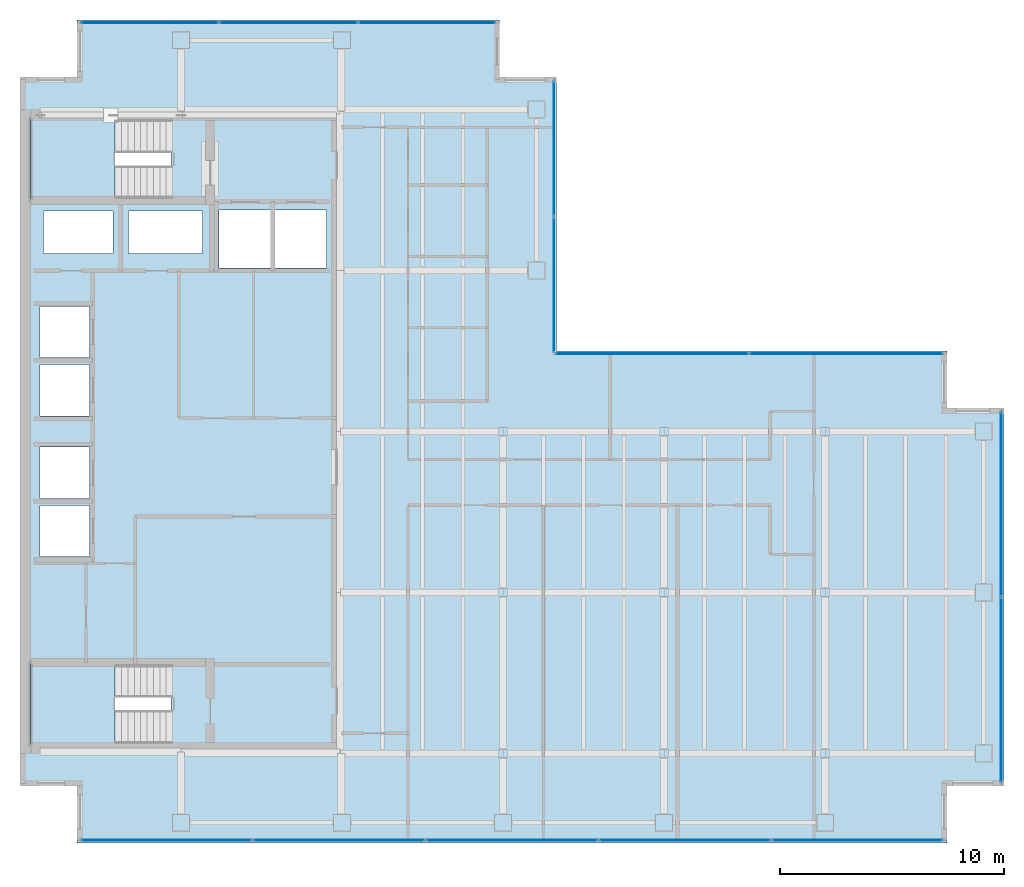
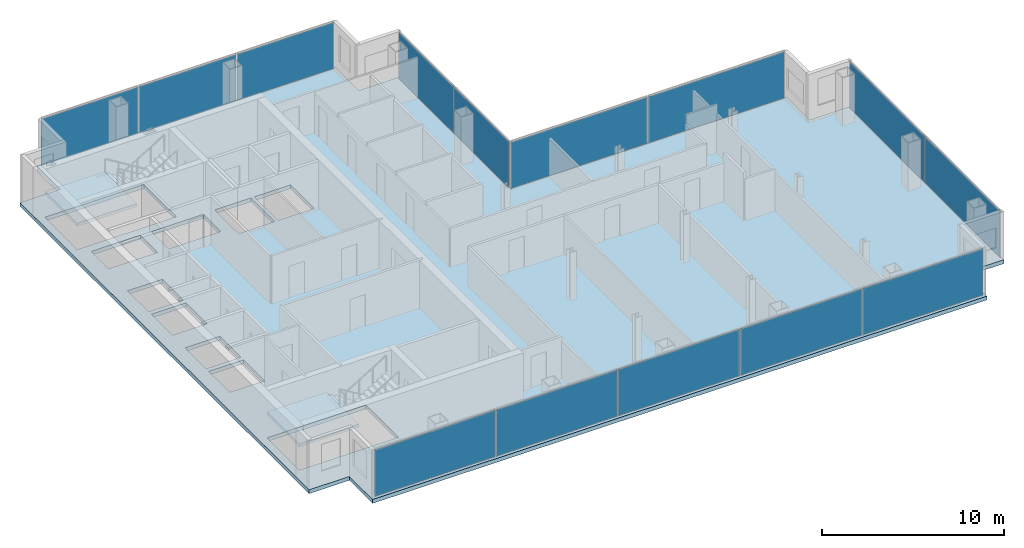
# One storey, part 19 of 23: 14 plates, 3 slabs, 10 openings, 7 elements without a shape of their own.
"""IFC4 building model written with IfcOpenShell, lengths in metres."""

from ifc_helpers import new_model, si_unit, direction, frame, origin, origin_2d, place, context, subcontext, project, spatial, polyline, rectangle, outline, extrude, material, layer, layer_set, type_object, element, aggregate, save


model = new_model("IFC4")

# Units and contexts
model_context = context("Model", 3, precision=1e-05, world=origin(), true_north=direction((0.0, 1.0)))
body_context = subcontext(model_context, "Body", "Model", "MODEL_VIEW")
ifc_project = project(units=[si_unit("LENGTHUNIT", "METRE"), si_unit("AREAUNIT", "SQUARE_METRE"), si_unit("VOLUMEUNIT", "CUBIC_METRE"), si_unit("PLANEANGLEUNIT", "RADIAN"), si_unit("MASSUNIT", "GRAM", prefix="KILO")], contexts=[model_context])

# Site, building, storey
site_placement = place(None, origin())
site = spatial("IfcSite", under=ifc_project, at=site_placement, CompositionType="ELEMENT")
building_placement = place(site_placement, origin())
building = spatial("IfcBuilding", under=site, at=building_placement, Name="Cobrela Telecom Tower", CompositionType="ELEMENT")
storey_placement = place(building_placement, frame((0.0, 0.0, 190.75)))
storey = spatial("IfcBuildingStorey", under=building, at=storey_placement, Name="L48", CompositionType="ELEMENT", Elevation=190.75)

# Curtain wall, plates
ifc_material_1 = material(Name="Anodized Bronze Aluminium 6063-T6", Category="aluminium")
curtain_wall_type = type_object("IfcCurtainWallType", Name="CW-SYS-OFF-LO", PredefinedType="USERDEFINED", material=ifc_material_1)
curtain_wall_1_placement = place(storey_placement, origin())
curtain_wall_1 = element("IfcCurtainWall", 1, at=curtain_wall_1_placement, inside=storey, type_object=curtain_wall_type, Name="L48 Unitised Bronze Curtain Wall 07", ObjectType="UNITISED CURTAIN WALL", PredefinedType="USERDEFINED")
ifc_material_2 = material(Name="Solar-Control Bronze Low-E Glass", Category="glass")
ifc_layer_1 = layer(ifc_material_2, 0.031982421875)
ifc_layer_set_1 = layer_set([ifc_layer_1], Name="Solar-Control Bronze Low-E Glass")
plate_type = type_object("IfcPlateType", Name="CW-SYS-OFF-LO-PNL", PredefinedType="CURTAIN_PANEL", material=ifc_layer_set_1)
plate_1_placement = place(storey_placement, frame((5.797607421875, 39.8798828125, 0.070068359375), z_axis=(0.0, 0.0, 1.0), x_axis=(1.0, 0.0, 0.0)))
plate_1 = element("IfcPlate", 2, at=plate_1_placement, type_object=plate_type, Name="CW-OFF-LO panel 1.1", PredefinedType="CURTAIN_PANEL", context=body_context, shape_type="SweptSolid", body=[
    extrude(rectangle(XDim=6.114990234375, YDim=0.031982421875, at=origin_2d()), origin(), (0.0, 0.0, 1.0), 3.10009765625),
])
plate_2_placement = place(storey_placement, frame((12.0, 39.8798828125, 0.070068359375), z_axis=(0.0, 0.0, 1.0), x_axis=(1.0, 0.0, 0.0)))
plate_2 = element("IfcPlate", 3, at=plate_2_placement, type_object=plate_type, Name="CW-OFF-LO panel 2.1", PredefinedType="CURTAIN_PANEL", context=body_context, shape_type="SweptSolid", body=[
    extrude(rectangle(XDim=6.14990234375, YDim=0.031982421875, at=origin_2d()), origin(), (0.0, 0.0, 1.0), 3.10009765625),
])
plate_3_placement = place(storey_placement, frame((18.202392578125, 39.8798828125, 0.070068359375), z_axis=(0.0, 0.0, 1.0), x_axis=(1.0, 0.0, 0.0)))
plate_3 = element("IfcPlate", 4, at=plate_3_placement, type_object=plate_type, Name="CW-OFF-LO panel 3.1", PredefinedType="CURTAIN_PANEL", context=body_context, shape_type="SweptSolid", body=[
    extrude(rectangle(XDim=6.114990234375, YDim=0.031982421875, at=origin_2d()), origin(), (0.0, 0.0, 1.0), 3.10009765625),
])
aggregate(curtain_wall_1, [plate_1, plate_2, plate_3])

curtain_wall_2_placement = place(storey_placement, origin())
curtain_wall_2 = element("IfcCurtainWall", 5, at=curtain_wall_2_placement, inside=storey, type_object=curtain_wall_type, Name="L48 Unitised Bronze Curtain Wall 10", ObjectType="UNITISED CURTAIN WALL", PredefinedType="USERDEFINED")
plate_4_placement = place(storey_placement, frame((23.8798828125, 34.25, 0.070068359375), z_axis=(0.0, 0.0, 1.0), x_axis=(0.0, -1.0, 0.0)))
plate_4 = element("IfcPlate", 6, at=plate_4_placement, type_object=plate_type, Name="CW-OFF-LO panel 1.1", PredefinedType="CURTAIN_PANEL", context=body_context, shape_type="SweptSolid", body=[
    extrude(rectangle(XDim=6.02001953125, YDim=0.031982421875, at=origin_2d()), origin(), (0.0, 0.0, 1.0), 3.10009765625),
])
plate_5_placement = place(storey_placement, frame((23.8798828125, 28.159912109375, 0.070068359375), z_axis=(0.0, 0.0, 1.0), x_axis=(0.0, -1.0, 0.0)))
plate_5 = element("IfcPlate", 7, at=plate_5_placement, type_object=plate_type, Name="CW-OFF-LO panel 2.1", PredefinedType="CURTAIN_PANEL", context=body_context, shape_type="SweptSolid", body=[
    extrude(rectangle(XDim=6.02001953125, YDim=0.031982421875, at=origin_2d()), origin(), (0.0, 0.0, 1.0), 3.10009765625),
])
aggregate(curtain_wall_2, [plate_4, plate_5])

curtain_wall_3_placement = place(storey_placement, origin())
curtain_wall_3 = element("IfcCurtainWall", 8, at=curtain_wall_3_placement, inside=storey, type_object=curtain_wall_type, Name="L48 Unitised Bronze Curtain Wall 11", ObjectType="UNITISED CURTAIN WALL", PredefinedType="USERDEFINED")
plate_6_placement = place(storey_placement, frame((28.260009765625, 25.080078125, 0.070068359375), z_axis=(0.0, 0.0, 1.0), x_axis=(1.0, 0.0, 0.0)))
plate_6 = element("IfcPlate", 9, at=plate_6_placement, type_object=plate_type, Name="CW-OFF-LO panel 1.1", PredefinedType="CURTAIN_PANEL", context=body_context, shape_type="SweptSolid", body=[
    extrude(rectangle(XDim=8.6201171875, YDim=0.031982421875, at=origin_2d()), origin(), (0.0, 0.0, 1.0), 3.10009765625),
])
plate_7_placement = place(storey_placement, frame((36.949951171875, 25.080078125, 0.070068359375), z_axis=(0.0, 0.0, 1.0), x_axis=(1.0, 0.0, 0.0)))
plate_7 = element("IfcPlate", 10, at=plate_7_placement, type_object=plate_type, Name="CW-OFF-LO panel 2.1", PredefinedType="CURTAIN_PANEL", context=body_context, shape_type="SweptSolid", body=[
    extrude(rectangle(XDim=8.6201171875, YDim=0.031982421875, at=origin_2d()), origin(), (0.0, 0.0, 1.0), 3.10009765625),
])
aggregate(curtain_wall_3, [plate_6, plate_7])

curtain_wall_4_placement = place(storey_placement, origin())
curtain_wall_4 = element("IfcCurtainWall", 11, at=curtain_wall_4_placement, inside=storey, type_object=curtain_wall_type, Name="L48 Unitised Bronze Curtain Wall 14", ObjectType="UNITISED CURTAIN WALL", PredefinedType="USERDEFINED")
plate_8_placement = place(storey_placement, frame((43.8798828125, 18.347412109375, 0.070068359375), z_axis=(0.0, 0.0, 1.0), x_axis=(0.0, -1.0, 0.0)))
plate_8 = element("IfcPlate", 12, at=plate_8_placement, type_object=plate_type, Name="CW-OFF-LO panel 1.1", PredefinedType="CURTAIN_PANEL", context=body_context, shape_type="SweptSolid", body=[
    extrude(rectangle(XDim=8.22509765625, YDim=0.031982421875, at=origin_2d()), origin(), (0.0, 0.0, 1.0), 3.10009765625),
])
plate_9_placement = place(storey_placement, frame((43.8798828125, 10.052490234375, 0.070068359375), z_axis=(0.0, 0.0, 1.0), x_axis=(0.0, -1.0, 0.0)))
plate_9 = element("IfcPlate", 13, at=plate_9_placement, type_object=plate_type, Name="CW-OFF-LO panel 2.1", PredefinedType="CURTAIN_PANEL", context=body_context, shape_type="SweptSolid", body=[
    extrude(rectangle(XDim=8.22509765625, YDim=0.031982421875, at=origin_2d()), origin(), (0.0, 0.0, 1.0), 3.10009765625),
])
aggregate(curtain_wall_4, [plate_8, plate_9])

curtain_wall_5_placement = place(storey_placement, origin())
curtain_wall_5 = element("IfcCurtainWall", 14, at=curtain_wall_5_placement, inside=storey, type_object=curtain_wall_type, Name="L48 Unitised Bronze Curtain Wall 17", ObjectType="UNITISED CURTAIN WALL", PredefinedType="USERDEFINED")
plate_10_placement = place(storey_placement, frame((37.446533203125, 3.320068359375, 0.070068359375), z_axis=(0.0, 0.0, 1.0), x_axis=(-1.0, 0.0, 0.0)))
plate_10 = element("IfcPlate", 15, at=plate_10_placement, type_object=plate_type, Name="CW-OFF-LO panel 1.1", PredefinedType="CURTAIN_PANEL", context=body_context, shape_type="SweptSolid", body=[
    extrude(rectangle(XDim=7.626953125, YDim=0.031982421875, at=origin_2d()), origin(), (0.0, 0.0, 1.0), 3.10009765625),
])
plate_11_placement = place(storey_placement, frame((29.73193359375, 3.320068359375, 0.070068359375), z_axis=(0.0, 0.0, 1.0), x_axis=(-1.0, 0.0, 0.0)))
plate_11 = element("IfcPlate", 16, at=plate_11_placement, type_object=plate_type, Name="CW-OFF-LO panel 2.1", PredefinedType="CURTAIN_PANEL", context=body_context, shape_type="SweptSolid", body=[
    extrude(rectangle(XDim=7.662109375, YDim=0.031982421875, at=origin_2d()), origin(), (0.0, 0.0, 1.0), 3.10009765625),
])
plate_12_placement = place(storey_placement, frame((22.0, 3.320068359375, 0.070068359375), z_axis=(0.0, 0.0, 1.0), x_axis=(-1.0, 0.0, 0.0)))
plate_12 = element("IfcPlate", 17, at=plate_12_placement, type_object=plate_type, Name="CW-OFF-LO panel 3.1", PredefinedType="CURTAIN_PANEL", context=body_context, shape_type="SweptSolid", body=[
    extrude(rectangle(XDim=7.662109375, YDim=0.031982421875, at=origin_2d()), origin(), (0.0, 0.0, 1.0), 3.10009765625),
])
plate_13_placement = place(storey_placement, frame((14.26806640625, 3.320068359375, 0.070068359375), z_axis=(0.0, 0.0, 1.0), x_axis=(-1.0, 0.0, 0.0)))
plate_13 = element("IfcPlate", 18, at=plate_13_placement, type_object=plate_type, Name="CW-OFF-LO panel 4.1", PredefinedType="CURTAIN_PANEL", context=body_context, shape_type="SweptSolid", body=[
    extrude(rectangle(XDim=7.662109375, YDim=0.031982421875, at=origin_2d()), origin(), (0.0, 0.0, 1.0), 3.10009765625),
])
plate_14_placement = place(storey_placement, frame((6.553466796875, 3.320068359375, 0.070068359375), z_axis=(0.0, 0.0, 1.0), x_axis=(-1.0, 0.0, 0.0)))
plate_14 = element("IfcPlate", 19, at=plate_14_placement, type_object=plate_type, Name="CW-OFF-LO panel 5.1", PredefinedType="CURTAIN_PANEL", context=body_context, shape_type="SweptSolid", body=[
    extrude(rectangle(XDim=7.626953125, YDim=0.031982421875, at=origin_2d()), origin(), (0.0, 0.0, 1.0), 3.10009765625),
])
aggregate(curtain_wall_5, [plate_10, plate_11, plate_12, plate_13, plate_14])

# Slab, openings
ifc_material_3 = material(Name="Concrete C40/50", Category="concrete")
ifc_layer_2 = layer(ifc_material_3, 0.260009765625)
ifc_layer_set_2 = layer_set([ifc_layer_2], Name="Concrete C40/50")
slab_type_1 = type_object("IfcSlabType", Name="SLAB-FLR-260", PredefinedType="FLOOR", material=ifc_layer_set_2)
slab_1_placement = place(storey_placement, frame((0.0, 0.0, -0.260009765625)))
slab_1 = element("IfcSlab", 20, at=slab_1_placement, inside=storey, type_object=slab_type_1, Name="L48 Structural Floor Slab", PredefinedType="FLOOR", context=body_context, shape_type="SweptSolid", body=[
    extrude(outline(polyline([(2.550048828125, 3.199951171875), (41.449951171875, 3.199951171875), (41.449951171875, 5.75), (44.0, 5.75), (44.0, 22.64990234375), (41.449951171875, 22.64990234375), (41.449951171875, 25.199951171875), (24.0, 25.199951171875), (24.0, 37.449951171875), (21.449951171875, 37.449951171875), (21.449951171875, 40.0), (2.550048828125, 40.0), (2.550048828125, 37.449951171875), (0.0, 37.449951171875), (0.0, 5.75), (2.550048828125, 5.75), (2.550048828125, 3.199951171875)])), origin(), (0.0, 0.0, 1.0), 0.260009765625),
])
opening_1_placement = place(slab_1_placement, frame((0.0, 0.0, -0.02001953125)))
element("IfcOpeningElement", 21, at=opening_1_placement, cuts=slab_1, Name="Slab Shaft Opening SLAB-L48-MAIN.1", PredefinedType="OPENING", context=body_context, shape_type="SweptSolid", body=[
    extrude(outline(polyline([(8.89990234375, 28.89990234375), (11.199951171875, 28.89990234375), (11.199951171875, 31.5), (8.89990234375, 31.5), (8.89990234375, 28.89990234375)])), origin(), (0.0, 0.0, 1.0), 0.300048828125),
])
opening_2_placement = place(slab_1_placement, frame((0.0, 0.0, -0.02001953125)))
element("IfcOpeningElement", 22, at=opening_2_placement, cuts=slab_1, Name="Slab Shaft Opening SLAB-L48-MAIN.2", PredefinedType="OPENING", context=body_context, shape_type="SweptSolid", body=[
    extrude(outline(polyline([(11.39990234375, 28.89990234375), (13.699951171875, 28.89990234375), (13.699951171875, 31.5), (11.39990234375, 31.5), (11.39990234375, 28.89990234375)])), origin(), (0.0, 0.0, 1.0), 0.300048828125),
])
opening_3_placement = place(slab_1_placement, frame((0.0, 0.0, -0.02001953125)))
element("IfcOpeningElement", 23, at=opening_3_placement, cuts=slab_1, Name="Slab Shaft Opening SLAB-L48-MAIN.3", PredefinedType="OPENING", context=body_context, shape_type="SweptSolid", body=[
    extrude(outline(polyline([(0.89990234375, 16.0), (3.10009765625, 16.0), (3.10009765625, 18.300048828125), (0.89990234375, 18.300048828125), (0.89990234375, 16.0)])), origin(), (0.0, 0.0, 1.0), 0.300048828125),
])
opening_4_placement = place(slab_1_placement, frame((0.0, 0.0, -0.02001953125)))
element("IfcOpeningElement", 24, at=opening_4_placement, cuts=slab_1, Name="Slab Shaft Opening SLAB-L48-MAIN.4", PredefinedType="OPENING", context=body_context, shape_type="SweptSolid", body=[
    extrude(outline(polyline([(0.89990234375, 18.60009765625), (3.10009765625, 18.60009765625), (3.10009765625, 20.89990234375), (0.89990234375, 20.89990234375), (0.89990234375, 18.60009765625)])), origin(), (0.0, 0.0, 1.0), 0.300048828125),
])
opening_5_placement = place(slab_1_placement, frame((0.0, 0.0, -0.02001953125)))
element("IfcOpeningElement", 25, at=opening_5_placement, cuts=slab_1, Name="Slab Shaft Opening SLAB-L48-MAIN.5", PredefinedType="OPENING", context=body_context, shape_type="SweptSolid", body=[
    extrude(outline(polyline([(0.89990234375, 22.300048828125), (3.10009765625, 22.300048828125), (3.10009765625, 24.60009765625), (0.89990234375, 24.60009765625), (0.89990234375, 22.300048828125)])), origin(), (0.0, 0.0, 1.0), 0.300048828125),
])
opening_6_placement = place(slab_1_placement, frame((0.0, 0.0, -0.02001953125)))
element("IfcOpeningElement", 26, at=opening_6_placement, cuts=slab_1, Name="Slab Shaft Opening SLAB-L48-MAIN.6", PredefinedType="OPENING", context=body_context, shape_type="SweptSolid", body=[
    extrude(outline(polyline([(0.89990234375, 24.89990234375), (3.10009765625, 24.89990234375), (3.10009765625, 27.199951171875), (0.89990234375, 27.199951171875), (0.89990234375, 24.89990234375)])), origin(), (0.0, 0.0, 1.0), 0.300048828125),
])
opening_7_placement = place(slab_1_placement, frame((0.0, 0.0, -0.02001953125)))
element("IfcOpeningElement", 27, at=opening_7_placement, cuts=slab_1, Name="Slab Shaft Opening SLAB-L48-MAIN.7", PredefinedType="OPENING", context=body_context, shape_type="SweptSolid", body=[
    extrude(outline(polyline([(1.050048828125, 29.550048828125), (4.14990234375, 29.550048828125), (4.14990234375, 31.449951171875), (1.050048828125, 31.449951171875), (1.050048828125, 29.550048828125)])), origin(), (0.0, 0.0, 1.0), 0.300048828125),
])
opening_8_placement = place(slab_1_placement, frame((0.0, 0.0, -0.02001953125)))
element("IfcOpeningElement", 28, at=opening_8_placement, cuts=slab_1, Name="Slab Shaft Opening SLAB-L48-MAIN.8", PredefinedType="OPENING", context=body_context, shape_type="SweptSolid", body=[
    extrude(outline(polyline([(4.85009765625, 29.550048828125), (8.14990234375, 29.550048828125), (8.14990234375, 31.449951171875), (4.85009765625, 31.449951171875), (4.85009765625, 29.550048828125)])), origin(), (0.0, 0.0, 1.0), 0.300048828125),
])
opening_9_placement = place(slab_1_placement, frame((0.0, 0.0, -0.02001953125)))
element("IfcOpeningElement", 29, at=opening_9_placement, cuts=slab_1, Name="Slab Shaft Opening SLAB-L48-MAIN.9", PredefinedType="OPENING", context=body_context, shape_type="SweptSolid", body=[
    extrude(outline(polyline([(6.7548828125, 35.550048828125), (0.47998046875, 35.550048828125), (0.47998046875, 32.0), (6.7548828125, 32.0), (6.7548828125, 35.550048828125)])), origin(), (0.0, 0.0, 1.0), 0.300048828125),
])
opening_10_placement = place(slab_1_placement, frame((0.0, 0.0, -0.02001953125)))
element("IfcOpeningElement", 30, at=opening_10_placement, cuts=slab_1, Name="Slab Shaft Opening SLAB-L48-MAIN.10", PredefinedType="OPENING", context=body_context, shape_type="SweptSolid", body=[
    extrude(outline(polyline([(6.7548828125, 11.199951171875), (0.47998046875, 11.199951171875), (0.47998046875, 7.64990234375), (6.7548828125, 7.64990234375), (6.7548828125, 11.199951171875)])), origin(), (0.0, 0.0, 1.0), 0.300048828125),
])

# Stair, slab
stair_type = type_object("IfcStairType", Name="STAIR-CORE", PredefinedType="HALF_TURN_STAIR", material=ifc_material_3)
stair_1_placement = place(storey_placement, origin())
stair_1 = element("IfcStair", 31, at=stair_1_placement, inside=storey, type_object=stair_type, Name="L48 Smokeproof Exit Stair ST1", PredefinedType="HALF_TURN_STAIR")
ifc_layer_3 = layer(ifc_material_3, 0.199951171875)
ifc_layer_set_3 = layer_set([ifc_layer_3], Name="Concrete C40/50")
slab_type_2 = type_object("IfcSlabType", Name="SLAB-LAND-200", PredefinedType="LANDING", material=ifc_layer_set_3)
slab_2_placement = place(storey_placement, frame((0.0, 0.0, 1.550048828125)))
slab_2 = element("IfcSlab", 32, at=slab_2_placement, type_object=slab_type_2, Name="ST1 landing 1", PredefinedType="LANDING", context=body_context, shape_type="SweptSolid", body=[
    extrude(outline(polyline([(4.2548828125, 35.550048828125), (0.47998046875, 35.550048828125), (0.47998046875, 32.0), (4.2548828125, 32.0), (4.2548828125, 35.550048828125)])), origin(), (0.0, 0.0, 1.0), 0.199951171875),
])
aggregate(stair_1, [slab_2])

stair_2_placement = place(storey_placement, origin())
stair_2 = element("IfcStair", 33, at=stair_2_placement, inside=storey, type_object=stair_type, Name="L48 Smokeproof Exit Stair ST2", PredefinedType="HALF_TURN_STAIR")
slab_3_placement = place(storey_placement, frame((0.0, 0.0, 1.550048828125)))
slab_3 = element("IfcSlab", 34, at=slab_3_placement, type_object=slab_type_2, Name="ST2 landing 1", PredefinedType="LANDING", context=body_context, shape_type="SweptSolid", body=[
    extrude(outline(polyline([(4.2548828125, 11.199951171875), (0.47998046875, 11.199951171875), (0.47998046875, 7.64990234375), (4.2548828125, 7.64990234375), (4.2548828125, 11.199951171875)])), origin(), (0.0, 0.0, 1.0), 0.199951171875),
])
aggregate(stair_2, [slab_3])

save(model, "model.ifc")
